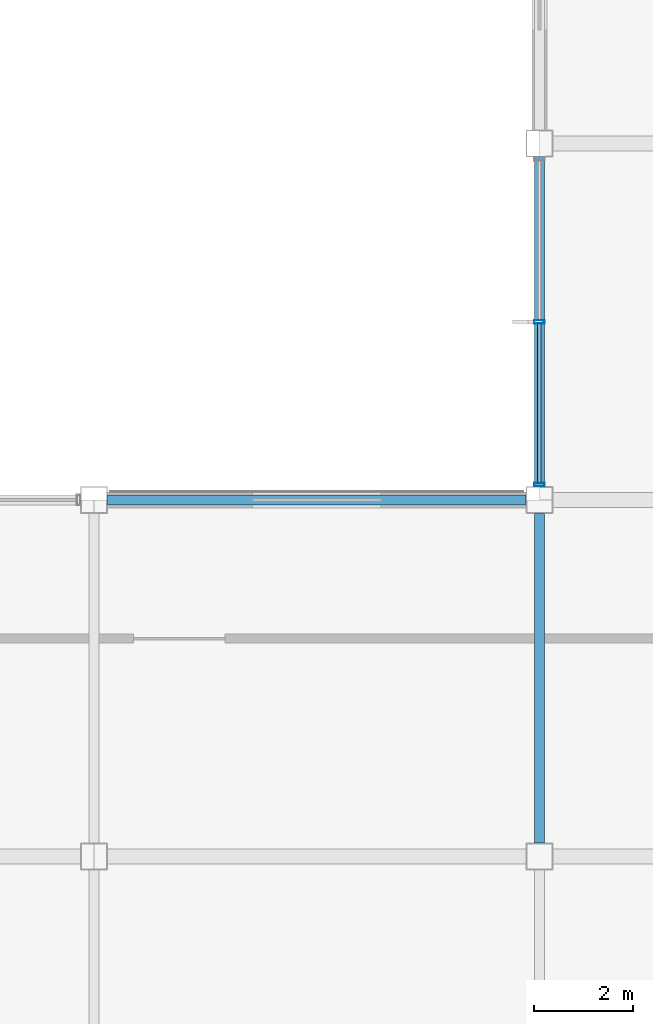
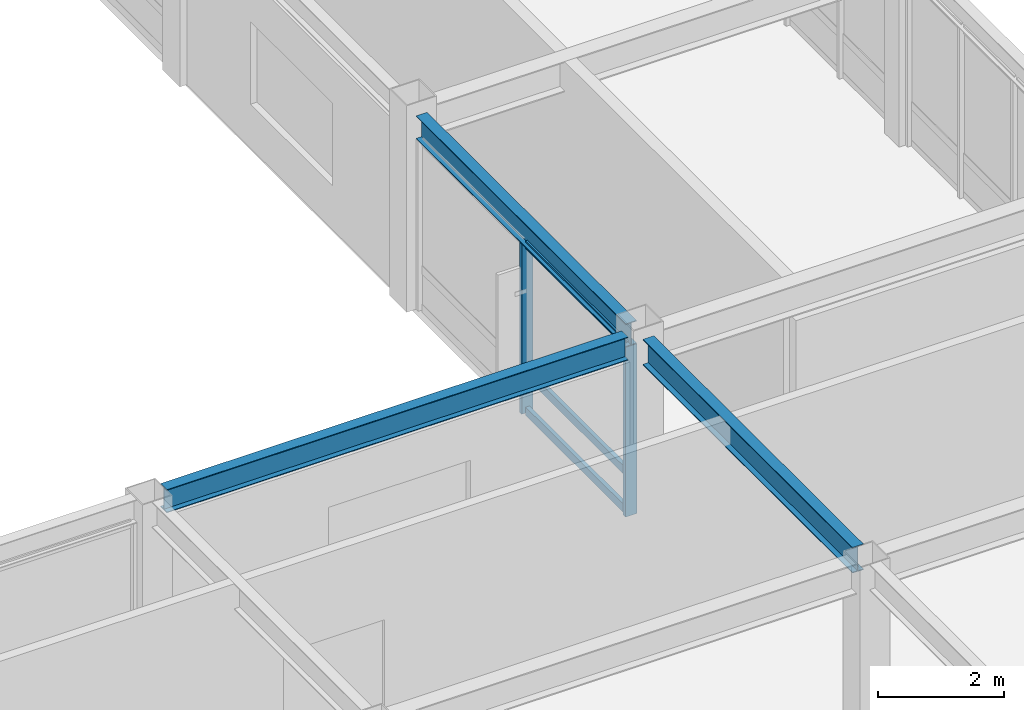
# One storey, part 45 of 113: 5 members, 3 beams, 1 element without a shape of its own.
"""IFC4 building model written with IfcOpenShell, lengths in metres."""

from ifc_helpers import new_model, si_unit, direction, frame, origin, origin_2d, place, context, subcontext, project, spatial, hollow_rectangle, i_section, extrude, material, material_profile, profile_set, type_object, element, aggregate, save


model = new_model("IFC4")

# Units and contexts
model_context = context("Model", 3, precision=1e-05, world=origin(), true_north=direction((0.0, 1.0)))
body_context = subcontext(model_context, "Body", "Model", "MODEL_VIEW")
ifc_project = project(units=[si_unit("LENGTHUNIT", "METRE"), si_unit("AREAUNIT", "SQUARE_METRE"), si_unit("VOLUMEUNIT", "CUBIC_METRE"), si_unit("PLANEANGLEUNIT", "RADIAN"), si_unit("MASSUNIT", "GRAM", prefix="KILO")], contexts=[model_context])

# Site, building, storey
site_placement = place(None, origin())
site = spatial("IfcSite", under=ifc_project, at=site_placement, CompositionType="ELEMENT")
building_placement = place(site_placement, origin())
building = spatial("IfcBuilding", under=site, at=building_placement, Name="Kazanami Central Library", CompositionType="ELEMENT")
storey_placement = place(building_placement, frame((0.0, 0.0, 8.800048828125)))
storey = spatial("IfcBuildingStorey", under=building, at=storey_placement, Name="L03", CompositionType="ELEMENT", Elevation=8.800048828125)

# Beams
ifc_material_1 = material(Name="Steel SN490B (325 MPa)", Category="steel")
ifc_material_profile_1 = material_profile(ifc_material_1, i_section(OverallWidth=0.199951171875, OverallDepth=0.5, WebThickness=0.010009765625, FlangeThickness=0.01611328125, at=origin_2d()), Name="H-500x200x10x16")
ifc_profile_set_1 = profile_set([ifc_material_profile_1], Name="Steel SN490B (325 MPa)")
beam_type_1 = type_object("IfcBeamType", Name="BM-G-Y2", PredefinedType="BEAM", material=ifc_profile_set_1)
beam_1_placement = place(storey_placement, frame((99.0, 29.072998046875, 3.530029296875), z_axis=(0.0, 1.0, 0.0), x_axis=(-1.0, 0.0, 0.0)))
element("IfcBeam", 1, at=beam_1_placement, inside=storey, type_object=beam_type_1, Name="Girder G-Y2 L03 12/E-F", PredefinedType="BEAM", context=body_context, shape_type="SweptSolid", body=[
    extrude(i_section(OverallWidth=0.199951171875, OverallDepth=0.5, WebThickness=0.010009765625, FlangeThickness=0.01611328125, at=origin_2d()), origin(), (0.0, 0.0, 1.0), 6.654052734375),
])
ifc_material_profile_2 = material_profile(ifc_material_1, i_section(OverallWidth=0.199951171875, OverallDepth=0.449951171875, WebThickness=0.009033203125, FlangeThickness=0.013916015625, at=origin_2d()), Name="H-450x200x9x14")
ifc_profile_set_2 = profile_set([ifc_material_profile_2], Name="Steel SN490B (325 MPa)")
beam_type_2 = type_object("IfcBeamType", Name="BM-SP-2", PredefinedType="SPANDREL", material=ifc_profile_set_2)
beam_2_placement = place(storey_placement, frame((90.27294921875, 36.0, 3.554931640625), z_axis=(1.0, 0.0, 0.0), x_axis=(0.0, 1.0, 0.0)))
element("IfcBeam", 2, at=beam_2_placement, inside=storey, type_object=beam_type_2, Name="Girder SP-2 L03 F/11-12", PredefinedType="SPANDREL", context=body_context, shape_type="SweptSolid", body=[
    extrude(i_section(OverallWidth=0.199951171875, OverallDepth=0.449951171875, WebThickness=0.009033203125, FlangeThickness=0.013916015625, at=origin_2d()), origin(), (0.0, 0.0, 1.0), 8.4541015625),
])
beam_3_placement = place(storey_placement, frame((99.0, 36.27294921875, 3.52001953125), z_axis=(0.0, 1.0, 0.0), x_axis=(-1.0, 0.0, 0.0)))
element("IfcBeam", 3, at=beam_3_placement, inside=storey, type_object=beam_type_2, Name="Girder SP-2 L03 12/F-G", PredefinedType="SPANDREL", context=body_context, shape_type="SweptSolid", body=[
    extrude(i_section(OverallWidth=0.199951171875, OverallDepth=0.449951171875, WebThickness=0.009033203125, FlangeThickness=0.013916015625, at=origin_2d()), origin(), (0.0, 0.0, 1.0), 6.654052734375),
])

# Curtain wall, members
ifc_material_2 = material(Name="Acid-Etched Low-E Laminated Glass", Category="glass")
curtain_wall_type = type_object("IfcCurtainWallType", Name="CW-6650x3295-M275", PredefinedType="USERDEFINED", material=ifc_material_2)
curtain_wall_placement = place(storey_placement, origin())
curtain_wall = element("IfcCurtainWall", 4, at=curtain_wall_placement, inside=storey, type_object=curtain_wall_type, Name="Unitised Curtain Wall CW-35 L03 W-12-05", ObjectType="UNITISED CURTAIN WALL", PredefinedType="USERDEFINED")
ifc_material_3 = material(Name="Anodised Aluminium A6063-T5", Category="aluminium")
ifc_material_profile_3 = material_profile(ifc_material_3, hollow_rectangle(XDim=0.070068359375, YDim=0.2099609375, WallThickness=0.0048828125, at=origin_2d()), Name="ALU-MULL-70x210x5")
ifc_profile_set_3 = profile_set([ifc_material_profile_3], Name="Anodised Aluminium A6063-T5")
member_type_1 = type_object("IfcMemberType", Name="MEM-CW-M1", PredefinedType="MULLION", material=ifc_profile_set_3)
member_1_placement = place(storey_placement, frame((99.0, 36.31005859375, 0.0), z_axis=(0.0, 0.0, 1.0), x_axis=(0.0, 1.0, 0.0)))
member_1 = element("IfcMember", 5, at=member_1_placement, type_object=member_type_1, Name="CW-35 mullion 1", PredefinedType="MULLION", context=body_context, shape_type="SweptSolid", body=[
    extrude(hollow_rectangle(XDim=0.070068359375, YDim=0.2099609375, WallThickness=0.0048828125, at=origin_2d()), origin(), (0.0, 0.0, 1.0), 3.294921875),
])
member_2_placement = place(storey_placement, frame((99.0, 39.60009765625, 0.0), z_axis=(0.0, 0.0, 1.0), x_axis=(0.0, 1.0, 0.0)))
member_2 = element("IfcMember", 6, at=member_2_placement, type_object=member_type_1, Name="CW-35 mullion 2", PredefinedType="MULLION", context=body_context, shape_type="SweptSolid", body=[
    extrude(hollow_rectangle(XDim=0.070068359375, YDim=0.2099609375, WallThickness=0.0048828125, at=origin_2d()), origin(), (0.0, 0.0, 1.0), 3.294921875),
])
ifc_material_profile_4 = material_profile(ifc_material_3, hollow_rectangle(XDim=0.070068359375, YDim=0.159912109375, WallThickness=0.00390625, at=origin_2d()), Name="ALU-TRAN-70x160x4")
ifc_profile_set_4 = profile_set([ifc_material_profile_4], Name="Anodised Aluminium A6063-T5")
member_type_2 = type_object("IfcMemberType", Name="MEM-CW-T1", PredefinedType="USERDEFINED", material=ifc_profile_set_4)
member_3_placement = place(storey_placement, frame((99.0, 36.344970703125, 0.034912109375), z_axis=(0.0, 1.0, 0.0), x_axis=(-1.0, 0.0, 0.0)))
member_3 = element("IfcMember", 7, at=member_3_placement, type_object=member_type_2, Name="CW-35 transom 1.1", ObjectType="TRANSOM", PredefinedType="USERDEFINED", context=body_context, shape_type="SweptSolid", body=[
    extrude(hollow_rectangle(XDim=0.070068359375, YDim=0.159912109375, WallThickness=0.00390625, at=origin_2d()), origin(), (0.0, 0.0, 1.0), 3.219970703125),
])
member_4_placement = place(storey_placement, frame((99.0, 36.344970703125, 0.780029296875), z_axis=(0.0, 1.0, 0.0), x_axis=(-1.0, 0.0, 0.0)))
member_4 = element("IfcMember", 8, at=member_4_placement, type_object=member_type_2, Name="CW-35 transom 1.2", ObjectType="TRANSOM", PredefinedType="USERDEFINED", context=body_context, shape_type="SweptSolid", body=[
    extrude(hollow_rectangle(XDim=0.070068359375, YDim=0.159912109375, WallThickness=0.00390625, at=origin_2d()), origin(), (0.0, 0.0, 1.0), 3.219970703125),
])
member_5_placement = place(storey_placement, frame((99.0, 36.344970703125, 3.260009765625), z_axis=(0.0, 1.0, 0.0), x_axis=(-1.0, 0.0, 0.0)))
member_5 = element("IfcMember", 9, at=member_5_placement, type_object=member_type_2, Name="CW-35 transom 1.3", ObjectType="TRANSOM", PredefinedType="USERDEFINED", context=body_context, shape_type="SweptSolid", body=[
    extrude(hollow_rectangle(XDim=0.070068359375, YDim=0.159912109375, WallThickness=0.00390625, at=origin_2d()), origin(), (0.0, 0.0, 1.0), 3.219970703125),
])
aggregate(curtain_wall, [member_1, member_2, member_3, member_4, member_5])

save(model, "model.ifc")
